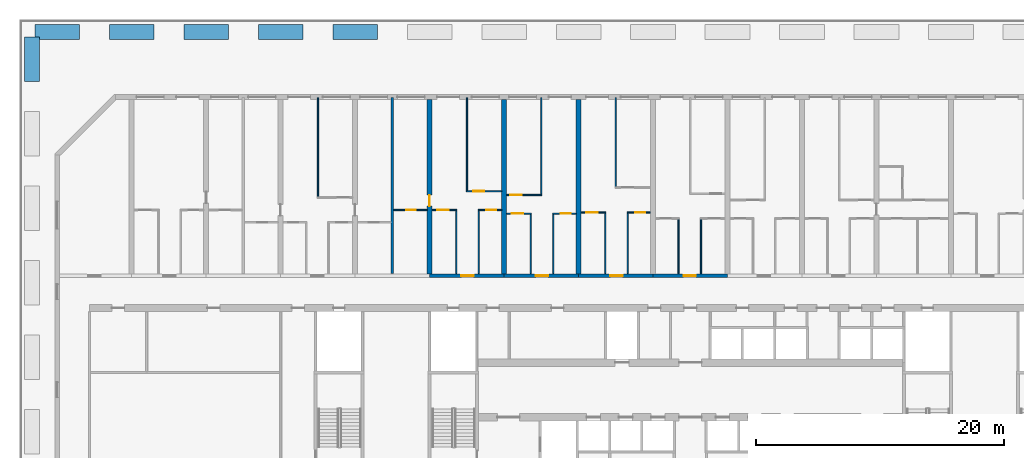
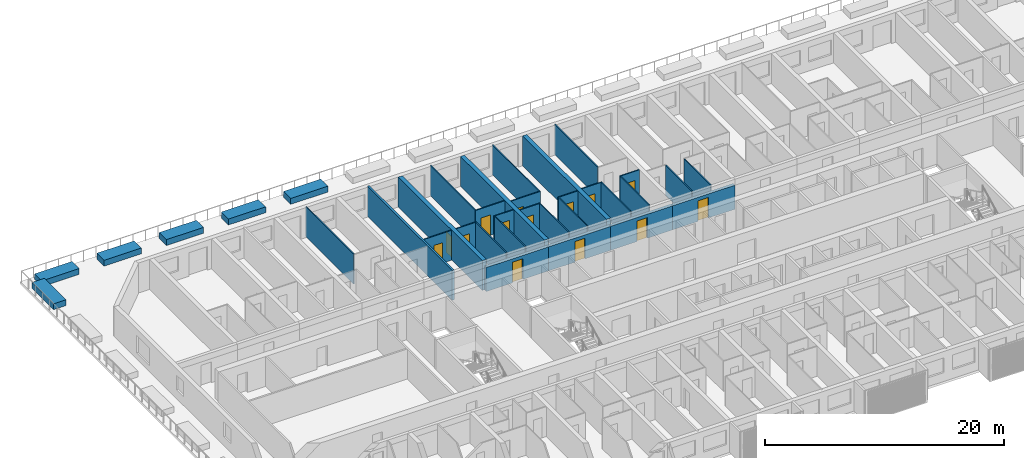
# One storey, part 12 of 23: 35 walls, 14 doors, 14 openings.
"""IFC4 building model written with IfcOpenShell, lengths in metres."""

from ifc_helpers import new_model, si_unit, direction, frame, frame_2d, origin, place, context, subcontext, project, spatial, polyline, rectangle, outline, extrude, source, transform, mapped, material, layer, layer_set, type_object, element, fill, save


model = new_model("IFC4")

# Units and contexts
model_context = context("Model", 3, precision=1e-05, world=origin(), true_north=direction((0.0, 1.0)))
body_context = subcontext(model_context, "Body", "Model", "MODEL_VIEW")
ifc_project = project(units=[si_unit("LENGTHUNIT", "METRE"), si_unit("AREAUNIT", "SQUARE_METRE"), si_unit("VOLUMEUNIT", "CUBIC_METRE"), si_unit("PLANEANGLEUNIT", "RADIAN"), si_unit("MASSUNIT", "GRAM", prefix="KILO")], contexts=[model_context])

# Site, building, storey
site_placement = place(None, origin())
site = spatial("IfcSite", under=ifc_project, at=site_placement, CompositionType="ELEMENT")
building_placement = place(site_placement, origin())
building = spatial("IfcBuilding", under=site, at=building_placement, Name="Poui Terraces", CompositionType="ELEMENT")
storey_placement = place(building_placement, frame((0.0, 0.0, 23.39990234375)))
storey = spatial("IfcBuildingStorey", under=building, at=storey_placement, Name="L05", CompositionType="ELEMENT", Elevation=23.39990234375)

# Wall, opening, door
ifc_material_1 = material(Name="Concrete 80 MPa", Category="concrete")
ifc_layer_1 = layer(ifc_material_1, 0.300048828125)
ifc_layer_set_1 = layer_set([ifc_layer_1], Name="Concrete 80 MPa")
wall_type_1 = type_object("IfcWallType", Name="CORRIDOR WALL 300 80MPa", PredefinedType="SHEAR", material=ifc_layer_set_1)
wall_1_placement = place(storey_placement, frame((30.0, 30.39990234375, 0.0), z_axis=(0.0, 0.0, 1.0), x_axis=(1.0, 0.0, 0.0)))
wall_1 = element("IfcWall", 1, at=wall_1_placement, inside=storey, type_object=wall_type_1, Name="CORRIDOR WALL LINE E BAY 6", PredefinedType="SHEAR", context=body_context, shape_type="SweptSolid", body=[
    extrude(rectangle(XDim=6.0, YDim=0.300048828125, at=frame_2d((3.0, 0.0))), origin(), (0.0, 0.0, 1.0), 2.4501953125),
])
opening_1_placement = place(wall_1_placement, frame((2.550048828125, 0.0, 0.0)))
opening_1 = element("IfcOpeningElement", 2, at=opening_1_placement, cuts=wall_1, Name="Opening FD30S", PredefinedType="OPENING", context=body_context, shape_type="SweptSolid", body=[
    extrude(rectangle(XDim=1.0, YDim=2.10009765625, at=frame_2d((0.5, 1.050048828125))), frame((0.0, 0.16015625, 0.0), z_axis=(0.0, -1.0, 0.0), x_axis=(1.0, 0.0, 0.0)), (0.0, 0.0, 1.0), 0.320068359375),
])
ifc_material_2 = material(Name="Steel fire door", Category="steel")
door_type_1 = type_object("IfcDoorType", Name="FLAT ENTRANCE DOOR 1000 X 2100", OperationType="NOTDEFINED", PredefinedType="DOOR", material=ifc_material_2)
door_1_placement = place(opening_1_placement, origin())
door_1 = element("IfcDoor", 3, at=door_1_placement, inside=storey, type_object=door_type_1, Name="FLAT ENTRANCE DOOR 049", OperationType="SINGLE_SWING_RIGHT", OverallHeight=2.10009765625, OverallWidth=1.0, PredefinedType="DOOR", context=body_context, shape_type="SweptSolid", body=[
    extrude(rectangle(XDim=1.0, YDim=2.10009765625, at=frame_2d((0.5, 1.050048828125))), frame((0.0, 0.02490234375, 0.0), z_axis=(0.0, -1.0, 0.0), x_axis=(1.0, 0.0, 0.0)), (0.0, 0.0, 1.0), 0.050048828125),
])
fill(opening_1, door_1)

wall_2_placement = place(storey_placement, frame((36.0, 30.39990234375, 0.0), z_axis=(0.0, 0.0, 1.0), x_axis=(1.0, 0.0, 0.0)))
wall_2 = element("IfcWall", 4, at=wall_2_placement, inside=storey, type_object=wall_type_1, Name="CORRIDOR WALL LINE E BAY 7", PredefinedType="SHEAR", context=body_context, shape_type="SweptSolid", body=[
    extrude(rectangle(XDim=6.0, YDim=0.300048828125, at=frame_2d((3.0, 0.0))), origin(), (0.0, 0.0, 1.0), 2.4501953125),
])
opening_2_placement = place(wall_2_placement, frame((2.550048828125, 0.0, 0.0)))
opening_2 = element("IfcOpeningElement", 5, at=opening_2_placement, cuts=wall_2, Name="Opening FD30S", PredefinedType="OPENING", context=body_context, shape_type="SweptSolid", body=[
    extrude(rectangle(XDim=1.0, YDim=2.10009765625, at=frame_2d((0.5, 1.050048828125))), frame((0.0, 0.16015625, 0.0), z_axis=(0.0, -1.0, 0.0), x_axis=(1.0, 0.0, 0.0)), (0.0, 0.0, 1.0), 0.320068359375),
])
door_2_placement = place(opening_2_placement, origin())
door_2 = element("IfcDoor", 6, at=door_2_placement, inside=storey, type_object=door_type_1, Name="FLAT ENTRANCE DOOR 054", OperationType="SINGLE_SWING_RIGHT", OverallHeight=2.10009765625, OverallWidth=1.0, PredefinedType="DOOR", context=body_context, shape_type="SweptSolid", body=[
    extrude(rectangle(XDim=1.0, YDim=2.10009765625, at=frame_2d((0.5, 1.050048828125))), frame((0.0, 0.02490234375, 0.0), z_axis=(0.0, -1.0, 0.0), x_axis=(1.0, 0.0, 0.0)), (0.0, 0.0, 1.0), 0.050048828125),
])
fill(opening_2, door_2)

wall_3_placement = place(storey_placement, frame((42.0, 30.39990234375, 0.0), z_axis=(0.0, 0.0, 1.0), x_axis=(1.0, 0.0, 0.0)))
wall_3 = element("IfcWall", 7, at=wall_3_placement, inside=storey, type_object=wall_type_1, Name="CORRIDOR WALL LINE E BAY 8", PredefinedType="SHEAR", context=body_context, shape_type="SweptSolid", body=[
    extrude(rectangle(XDim=6.0, YDim=0.300048828125, at=frame_2d((3.0, 0.0))), origin(), (0.0, 0.0, 1.0), 2.4501953125),
])
opening_3_placement = place(wall_3_placement, frame((2.550048828125, 0.0, 0.0)))
opening_3 = element("IfcOpeningElement", 8, at=opening_3_placement, cuts=wall_3, Name="Opening FD30S", PredefinedType="OPENING", context=body_context, shape_type="SweptSolid", body=[
    extrude(rectangle(XDim=1.0, YDim=2.10009765625, at=frame_2d((0.5, 1.050048828125))), frame((0.0, 0.16015625, 0.0), z_axis=(0.0, -1.0, 0.0), x_axis=(1.0, 0.0, 0.0)), (0.0, 0.0, 1.0), 0.320068359375),
])
door_3_placement = place(opening_3_placement, origin())
door_3 = element("IfcDoor", 9, at=door_3_placement, inside=storey, type_object=door_type_1, Name="FLAT ENTRANCE DOOR 057", OperationType="SINGLE_SWING_RIGHT", OverallHeight=2.10009765625, OverallWidth=1.0, PredefinedType="DOOR", context=body_context, shape_type="SweptSolid", body=[
    extrude(rectangle(XDim=1.0, YDim=2.10009765625, at=frame_2d((0.5, 1.050048828125))), frame((0.0, 0.02490234375, 0.0), z_axis=(0.0, -1.0, 0.0), x_axis=(1.0, 0.0, 0.0)), (0.0, 0.0, 1.0), 0.050048828125),
])
fill(opening_3, door_3)

wall_4_placement = place(storey_placement, frame((48.0, 30.39990234375, 0.0), z_axis=(0.0, 0.0, 1.0), x_axis=(1.0, 0.0, 0.0)))
wall_4 = element("IfcWall", 10, at=wall_4_placement, inside=storey, type_object=wall_type_1, Name="CORRIDOR WALL LINE E BAY 9", PredefinedType="SHEAR", context=body_context, shape_type="SweptSolid", body=[
    extrude(rectangle(XDim=6.0, YDim=0.300048828125, at=frame_2d((3.0, 0.0))), origin(), (0.0, 0.0, 1.0), 2.4501953125),
])
opening_4_placement = place(wall_4_placement, frame((2.449951171875, 0.0, 0.0)))
opening_4 = element("IfcOpeningElement", 11, at=opening_4_placement, cuts=wall_4, Name="Opening FD30S", PredefinedType="OPENING", context=body_context, shape_type="SweptSolid", body=[
    extrude(rectangle(XDim=1.0, YDim=2.10009765625, at=frame_2d((0.5, 1.050048828125))), frame((0.0, 0.16015625, 0.0), z_axis=(0.0, -1.0, 0.0), x_axis=(1.0, 0.0, 0.0)), (0.0, 0.0, 1.0), 0.320068359375),
])
door_4_placement = place(opening_4_placement, origin())
door_4 = element("IfcDoor", 12, at=door_4_placement, inside=storey, type_object=door_type_1, Name="FLAT ENTRANCE DOOR 061", OperationType="SINGLE_SWING_LEFT", OverallHeight=2.10009765625, OverallWidth=1.0, PredefinedType="DOOR", context=body_context, shape_type="SweptSolid", body=[
    extrude(rectangle(XDim=1.0, YDim=2.10009765625, at=frame_2d((0.5, 1.050048828125))), frame((0.0, 0.02490234375, 0.0), z_axis=(0.0, -1.0, 0.0), x_axis=(1.0, 0.0, 0.0)), (0.0, 0.0, 1.0), 0.050048828125),
])
fill(opening_4, door_4)

ifc_layer_2 = layer(ifc_material_1, 0.39990234375)
ifc_layer_set_2 = layer_set([ifc_layer_2], Name="Concrete 80 MPa")
wall_type_2 = type_object("IfcWallType", Name="CROSS WALL 400 80MPa", PredefinedType="SHEAR", material=ifc_layer_set_2)
wall_5_placement = place(storey_placement, frame((30.0, 30.550048828125, 0.0), z_axis=(0.0, 0.0, 1.0), x_axis=(0.0, 1.0, 0.0)))
wall_5 = element("IfcWall", 13, at=wall_5_placement, inside=storey, type_object=wall_type_2, Name="CROSS WALL LINE 6 NORTH", PredefinedType="SHEAR", context=body_context, shape_type="SweptSolid", body=[
    extrude(rectangle(XDim=14.050048828125, YDim=0.39990234375, at=frame_2d((7.02490234375, 0.0))), origin(), (0.0, 0.0, 1.0), 3.050048828125),
])
opening_5_placement = place(wall_5_placement, frame((5.449951171875, 0.0, 0.0)))
opening_5 = element("IfcOpeningElement", 14, at=opening_5_placement, cuts=wall_5, Name="Opening D90", PredefinedType="OPENING", context=body_context, shape_type="SweptSolid", body=[
    extrude(rectangle(XDim=0.89990234375, YDim=2.10009765625, at=frame_2d((0.449951171875, 1.050048828125))), frame((0.0, 0.2099609375, 0.0), z_axis=(0.0, -1.0, 0.0), x_axis=(1.0, 0.0, 0.0)), (0.0, 0.0, 1.0), 0.419921875),
])
ifc_material_3 = material(Name="Solid core timber door", Category="wood")
door_type_2 = type_object("IfcDoorType", Name="INTERNAL DOOR 900 X 2100", OperationType="NOTDEFINED", PredefinedType="DOOR", material=ifc_material_3)
door_5_placement = place(opening_5_placement, origin())
door_5 = element("IfcDoor", 15, at=door_5_placement, inside=storey, type_object=door_type_2, Name="INTERNAL DOOR 047", OperationType="SINGLE_SWING_LEFT", OverallHeight=2.10009765625, OverallWidth=0.89990234375, PredefinedType="DOOR", context=body_context, shape_type="SweptSolid", body=[
    extrude(rectangle(XDim=0.89990234375, YDim=2.10009765625, at=frame_2d((0.449951171875, 1.050048828125))), frame((0.0, 0.02490234375, 0.0), z_axis=(0.0, -1.0, 0.0), x_axis=(1.0, 0.0, 0.0)), (0.0, 0.0, 1.0), 0.050048828125),
])
fill(opening_5, door_5)

# Walls
for number, where, z_axis, x_axis, name in (
    (16, (36.0, 30.550048828125, 0.0), (0.0, 0.0, 1.0), (0.0, 1.0, 0.0), "CROSS WALL LINE 7 NORTH"),
    (17, (42.0, 30.550048828125, 0.0), (0.0, 0.0, 1.0), (0.0, 1.0, 0.0), "CROSS WALL LINE 8 NORTH"),
):
    element("IfcWall", number, at=place(storey_placement, frame(where, z_axis=z_axis, x_axis=x_axis)), inside=storey, type_object=wall_type_2, Name=name, PredefinedType="SHEAR", context=body_context, shape_type="SweptSolid", body=[
        extrude(rectangle(XDim=14.050048828125, YDim=0.39990234375, at=frame_2d((7.02490234375, 0.0))), origin(), (0.0, 0.0, 1.0), 3.050048828125),
    ])

# Wall, opening, door
ifc_material_4 = material(Name="Plasterboard partition")
ifc_layer_3 = layer(ifc_material_4, 0.10009765625)
ifc_layer_set_3 = layer_set([ifc_layer_3], Name="Plasterboard partition")
wall_type_3 = type_object("IfcWallType", Name="FLAT PARTITION 100", PredefinedType="PARTITIONING", material=ifc_layer_set_3)
wall_6_placement = place(storey_placement, frame((36.2099609375, 35.39990234375, 0.0), z_axis=(0.0, 0.0, 1.0), x_axis=(1.0, 0.0, 0.0)))
wall_6 = element("IfcWall", 18, at=wall_6_placement, inside=storey, type_object=wall_type_3, Name="FLAT PARTITION 100", PredefinedType="PARTITIONING", context=body_context, shape_type="SweptSolid", body=[
    extrude(rectangle(XDim=1.989990234375, YDim=0.10009765625, at=frame_2d((0.9951171875, 0.0))), origin(), (0.0, 0.0, 1.0), 3.050048828125),
])
opening_6_placement = place(wall_6_placement, frame((0.4150390625, 0.0, 0.0)))
opening_6 = element("IfcOpeningElement", 19, at=opening_6_placement, cuts=wall_6, Name="Opening D90", PredefinedType="OPENING", context=body_context, shape_type="SweptSolid", body=[
    extrude(rectangle(XDim=0.89990234375, YDim=2.10009765625, at=frame_2d((0.449951171875, 1.050048828125))), frame((0.0, 0.06005859375, 0.0), z_axis=(0.0, -1.0, 0.0), x_axis=(1.0, 0.0, 0.0)), (0.0, 0.0, 1.0), 0.1201171875),
])
door_6_placement = place(opening_6_placement, frame((0.89990234375, 0.0, 0.0), z_axis=(0.0, 0.0, 1.0), x_axis=(-1.0, 0.0, 0.0)))
door_6 = element("IfcDoor", 20, at=door_6_placement, inside=storey, type_object=door_type_2, Name="INTERNAL DOOR 053", OperationType="SINGLE_SWING_RIGHT", OverallHeight=2.10009765625, OverallWidth=0.89990234375, PredefinedType="DOOR", context=body_context, shape_type="SweptSolid", body=[
    extrude(rectangle(XDim=0.89990234375, YDim=2.10009765625, at=frame_2d((0.449951171875, 1.050048828125))), frame((0.0, 0.02490234375, 0.0), z_axis=(0.0, -1.0, 0.0), x_axis=(1.0, 0.0, 0.0)), (0.0, 0.0, 1.0), 0.050048828125),
])
fill(opening_6, door_6)

wall_7_placement = place(storey_placement, frame((39.89990234375, 35.39990234375, 0.0), z_axis=(0.0, 0.0, 1.0), x_axis=(1.0, 0.0, 0.0)))
wall_7 = element("IfcWall", 21, at=wall_7_placement, inside=storey, type_object=wall_type_3, Name="FLAT PARTITION 100", PredefinedType="PARTITIONING", context=body_context, shape_type="SweptSolid", body=[
    extrude(rectangle(XDim=1.89013671875, YDim=0.10009765625, at=frame_2d((0.945068359375, 0.0))), origin(), (0.0, 0.0, 1.0), 3.050048828125),
])
opening_7_placement = place(wall_7_placement, frame((0.675048828125, 0.0, 0.0)))
opening_7 = element("IfcOpeningElement", 22, at=opening_7_placement, cuts=wall_7, Name="Opening D80", PredefinedType="OPENING", context=body_context, shape_type="SweptSolid", body=[
    extrude(rectangle(XDim=0.800048828125, YDim=2.10009765625, at=frame_2d((0.39990234375, 1.050048828125))), frame((0.0, 0.06005859375, 0.0), z_axis=(0.0, -1.0, 0.0), x_axis=(1.0, 0.0, 0.0)), (0.0, 0.0, 1.0), 0.1201171875),
])
door_type_3 = type_object("IfcDoorType", Name="BATHROOM, LAUNDRY AND STORE DOOR 800 X 2100", OperationType="NOTDEFINED", PredefinedType="DOOR", material=ifc_material_3)
door_7_placement = place(opening_7_placement, frame((0.800048828125, 0.0, 0.0), z_axis=(0.0, 0.0, 1.0), x_axis=(-1.0, 0.0, 0.0)))
door_7 = element("IfcDoor", 23, at=door_7_placement, inside=storey, type_object=door_type_3, Name="BATHROOM, LAUNDRY AND STORE DOOR 055", OperationType="SINGLE_SWING_LEFT", OverallHeight=2.10009765625, OverallWidth=0.800048828125, PredefinedType="DOOR", context=body_context, shape_type="SweptSolid", body=[
    extrude(rectangle(XDim=0.800048828125, YDim=2.10009765625, at=frame_2d((0.39990234375, 1.050048828125))), frame((0.0, 0.02490234375, 0.0), z_axis=(0.0, -1.0, 0.0), x_axis=(1.0, 0.0, 0.0)), (0.0, 0.0, 1.0), 0.050048828125),
])
fill(opening_7, door_7)

wall_8_placement = place(storey_placement, frame((42.2099609375, 35.5, 0.0), z_axis=(0.0, 0.0, 1.0), x_axis=(1.0, 0.0, 0.0)))
wall_8 = element("IfcWall", 24, at=wall_8_placement, inside=storey, type_object=wall_type_3, Name="FLAT PARTITION 100", PredefinedType="PARTITIONING", context=body_context, shape_type="SweptSolid", body=[
    extrude(rectangle(XDim=1.989990234375, YDim=0.10009765625, at=frame_2d((0.9951171875, 0.0))), origin(), (0.0, 0.0, 1.0), 3.050048828125),
])
opening_8_placement = place(wall_8_placement, frame((0.4150390625, 0.0, 0.0)))
opening_8 = element("IfcOpeningElement", 25, at=opening_8_placement, cuts=wall_8, Name="Opening D90", PredefinedType="OPENING", context=body_context, shape_type="SweptSolid", body=[
    extrude(rectangle(XDim=0.89990234375, YDim=2.10009765625, at=frame_2d((0.449951171875, 1.050048828125))), frame((0.0, 0.06005859375, 0.0), z_axis=(0.0, -1.0, 0.0), x_axis=(1.0, 0.0, 0.0)), (0.0, 0.0, 1.0), 0.1201171875),
])
door_8_placement = place(opening_8_placement, frame((0.89990234375, 0.0, 0.0), z_axis=(0.0, 0.0, 1.0), x_axis=(-1.0, 0.0, 0.0)))
door_8 = element("IfcDoor", 26, at=door_8_placement, inside=storey, type_object=door_type_2, Name="INTERNAL DOOR 056", OperationType="SINGLE_SWING_LEFT", OverallHeight=2.10009765625, OverallWidth=0.89990234375, PredefinedType="DOOR", context=body_context, shape_type="SweptSolid", body=[
    extrude(rectangle(XDim=0.89990234375, YDim=2.10009765625, at=frame_2d((0.449951171875, 1.050048828125))), frame((0.0, 0.02490234375, 0.0), z_axis=(0.0, -1.0, 0.0), x_axis=(1.0, 0.0, 0.0)), (0.0, 0.0, 1.0), 0.050048828125),
])
fill(opening_8, door_8)

wall_9_placement = place(storey_placement, frame((45.89990234375, 35.5, 0.0), z_axis=(0.0, 0.0, 1.0), x_axis=(1.0, 0.0, 0.0)))
wall_9 = element("IfcWall", 27, at=wall_9_placement, inside=storey, type_object=wall_type_3, Name="FLAT PARTITION 100", PredefinedType="PARTITIONING", context=body_context, shape_type="SweptSolid", body=[
    extrude(rectangle(XDim=1.89013671875, YDim=0.10009765625, at=frame_2d((0.945068359375, 0.0))), origin(), (0.0, 0.0, 1.0), 3.050048828125),
])
opening_9_placement = place(wall_9_placement, frame((0.675048828125, 0.0, 0.0)))
opening_9 = element("IfcOpeningElement", 28, at=opening_9_placement, cuts=wall_9, Name="Opening D80", PredefinedType="OPENING", context=body_context, shape_type="SweptSolid", body=[
    extrude(rectangle(XDim=0.800048828125, YDim=2.10009765625, at=frame_2d((0.39990234375, 1.050048828125))), frame((0.0, 0.06005859375, 0.0), z_axis=(0.0, -1.0, 0.0), x_axis=(1.0, 0.0, 0.0)), (0.0, 0.0, 1.0), 0.1201171875),
])
door_9_placement = place(opening_9_placement, frame((0.800048828125, 0.0, 0.0), z_axis=(0.0, 0.0, 1.0), x_axis=(-1.0, 0.0, 0.0)))
door_9 = element("IfcDoor", 29, at=door_9_placement, inside=storey, type_object=door_type_3, Name="BATHROOM, LAUNDRY AND STORE DOOR 059", OperationType="SINGLE_SWING_RIGHT", OverallHeight=2.10009765625, OverallWidth=0.800048828125, PredefinedType="DOOR", context=body_context, shape_type="SweptSolid", body=[
    extrude(rectangle(XDim=0.800048828125, YDim=2.10009765625, at=frame_2d((0.39990234375, 1.050048828125))), frame((0.0, 0.02490234375, 0.0), z_axis=(0.0, -1.0, 0.0), x_axis=(1.0, 0.0, 0.0)), (0.0, 0.0, 1.0), 0.050048828125),
])
fill(opening_9, door_9)

wall_10_placement = place(storey_placement, frame((27.10009765625, 35.699951171875, 0.0), z_axis=(0.0, 0.0, 1.0), x_axis=(1.0, 0.0, 0.0)))
wall_10 = element("IfcWall", 30, at=wall_10_placement, inside=storey, type_object=wall_type_3, Name="FLAT PARTITION 100", PredefinedType="PARTITIONING", context=body_context, shape_type="SweptSolid", body=[
    extrude(rectangle(XDim=2.68994140625, YDim=0.10009765625, at=frame_2d((1.344970703125, 0.0))), origin(), (0.0, 0.0, 1.0), 3.050048828125),
])
opening_10_placement = place(wall_10_placement, frame((1.0, 0.0, 0.0)))
opening_10 = element("IfcOpeningElement", 31, at=opening_10_placement, cuts=wall_10, Name="Opening D80", PredefinedType="OPENING", context=body_context, shape_type="SweptSolid", body=[
    extrude(rectangle(XDim=0.800048828125, YDim=2.10009765625, at=frame_2d((0.39990234375, 1.050048828125))), frame((0.0, 0.06005859375, 0.0), z_axis=(0.0, -1.0, 0.0), x_axis=(1.0, 0.0, 0.0)), (0.0, 0.0, 1.0), 0.1201171875),
])
door_10_placement = place(opening_10_placement, frame((0.800048828125, 0.0, 0.0), z_axis=(0.0, 0.0, 1.0), x_axis=(-1.0, 0.0, 0.0)))
door_10 = element("IfcDoor", 32, at=door_10_placement, inside=storey, type_object=door_type_3, Name="BATHROOM, LAUNDRY AND STORE DOOR 046", OperationType="SINGLE_SWING_LEFT", OverallHeight=2.10009765625, OverallWidth=0.800048828125, PredefinedType="DOOR", context=body_context, shape_type="SweptSolid", body=[
    extrude(rectangle(XDim=0.800048828125, YDim=2.10009765625, at=frame_2d((0.39990234375, 1.050048828125))), frame((0.0, 0.02490234375, 0.0), z_axis=(0.0, -1.0, 0.0), x_axis=(1.0, 0.0, 0.0)), (0.0, 0.0, 1.0), 0.050048828125),
])
fill(opening_10, door_10)

wall_11_placement = place(storey_placement, frame((30.2099609375, 35.699951171875, 0.0), z_axis=(0.0, 0.0, 1.0), x_axis=(1.0, 0.0, 0.0)))
wall_11 = element("IfcWall", 33, at=wall_11_placement, inside=storey, type_object=wall_type_3, Name="FLAT PARTITION 100", PredefinedType="PARTITIONING", context=body_context, shape_type="SweptSolid", body=[
    extrude(rectangle(XDim=1.989990234375, YDim=0.10009765625, at=frame_2d((0.9951171875, 0.0))), origin(), (0.0, 0.0, 1.0), 3.050048828125),
])
opening_11_placement = place(wall_11_placement, frame((0.4150390625, 0.0, 0.0)))
opening_11 = element("IfcOpeningElement", 34, at=opening_11_placement, cuts=wall_11, Name="Opening D90", PredefinedType="OPENING", context=body_context, shape_type="SweptSolid", body=[
    extrude(rectangle(XDim=0.89990234375, YDim=2.10009765625, at=frame_2d((0.449951171875, 1.050048828125))), frame((0.0, 0.06005859375, 0.0), z_axis=(0.0, -1.0, 0.0), x_axis=(1.0, 0.0, 0.0)), (0.0, 0.0, 1.0), 0.1201171875),
])
door_11_placement = place(opening_11_placement, frame((0.89990234375, 0.0, 0.0), z_axis=(0.0, 0.0, 1.0), x_axis=(-1.0, 0.0, 0.0)))
door_11 = element("IfcDoor", 35, at=door_11_placement, inside=storey, type_object=door_type_2, Name="INTERNAL DOOR 048", OperationType="SINGLE_SWING_LEFT", OverallHeight=2.10009765625, OverallWidth=0.89990234375, PredefinedType="DOOR", context=body_context, shape_type="SweptSolid", body=[
    extrude(rectangle(XDim=0.89990234375, YDim=2.10009765625, at=frame_2d((0.449951171875, 1.050048828125))), frame((0.0, 0.02490234375, 0.0), z_axis=(0.0, -1.0, 0.0), x_axis=(1.0, 0.0, 0.0)), (0.0, 0.0, 1.0), 0.050048828125),
])
fill(opening_11, door_11)

wall_12_placement = place(storey_placement, frame((33.89990234375, 35.699951171875, 0.0), z_axis=(0.0, 0.0, 1.0), x_axis=(1.0, 0.0, 0.0)))
wall_12 = element("IfcWall", 36, at=wall_12_placement, inside=storey, type_object=wall_type_3, Name="FLAT PARTITION 100", PredefinedType="PARTITIONING", context=body_context, shape_type="SweptSolid", body=[
    extrude(rectangle(XDim=1.89013671875, YDim=0.10009765625, at=frame_2d((0.945068359375, 0.0))), origin(), (0.0, 0.0, 1.0), 3.050048828125),
])
opening_12_placement = place(wall_12_placement, frame((0.675048828125, 0.0, 0.0)))
opening_12 = element("IfcOpeningElement", 37, at=opening_12_placement, cuts=wall_12, Name="Opening D80", PredefinedType="OPENING", context=body_context, shape_type="SweptSolid", body=[
    extrude(rectangle(XDim=0.800048828125, YDim=2.10009765625, at=frame_2d((0.39990234375, 1.050048828125))), frame((0.0, 0.06005859375, 0.0), z_axis=(0.0, -1.0, 0.0), x_axis=(1.0, 0.0, 0.0)), (0.0, 0.0, 1.0), 0.1201171875),
])
door_12_placement = place(opening_12_placement, frame((0.800048828125, 0.0, 0.0), z_axis=(0.0, 0.0, 1.0), x_axis=(-1.0, 0.0, 0.0)))
door_12 = element("IfcDoor", 38, at=door_12_placement, inside=storey, type_object=door_type_3, Name="BATHROOM, LAUNDRY AND STORE DOOR 051", OperationType="SINGLE_SWING_RIGHT", OverallHeight=2.10009765625, OverallWidth=0.800048828125, PredefinedType="DOOR", context=body_context, shape_type="SweptSolid", body=[
    extrude(rectangle(XDim=0.800048828125, YDim=2.10009765625, at=frame_2d((0.39990234375, 1.050048828125))), frame((0.0, 0.02490234375, 0.0), z_axis=(0.0, -1.0, 0.0), x_axis=(1.0, 0.0, 0.0)), (0.0, 0.0, 1.0), 0.050048828125),
])
fill(opening_12, door_12)

wall_13_placement = place(storey_placement, frame((36.2099609375, 36.89990234375, 0.0), z_axis=(0.0, 0.0, 1.0), x_axis=(1.0, 0.0, 0.0)))
wall_13 = element("IfcWall", 39, at=wall_13_placement, inside=storey, type_object=wall_type_3, Name="FLAT PARTITION 100", PredefinedType="PARTITIONING", context=body_context, shape_type="SweptSolid", body=[
    extrude(rectangle(XDim=2.840087890625, YDim=0.10009765625, at=frame_2d((1.419921875, 0.0))), origin(), (0.0, 0.0, 1.0), 3.050048828125),
])
opening_13_placement = place(wall_13_placement, frame((0.2900390625, 0.0, 0.0)))
opening_13 = element("IfcOpeningElement", 40, at=opening_13_placement, cuts=wall_13, Name="Opening D90", PredefinedType="OPENING", context=body_context, shape_type="SweptSolid", body=[
    extrude(rectangle(XDim=0.89990234375, YDim=2.10009765625, at=frame_2d((0.449951171875, 1.050048828125))), frame((0.0, 0.06005859375, 0.0), z_axis=(0.0, -1.0, 0.0), x_axis=(1.0, 0.0, 0.0)), (0.0, 0.0, 1.0), 0.1201171875),
])
door_13_placement = place(opening_13_placement, frame((0.89990234375, 0.0, 0.0), z_axis=(0.0, 0.0, 1.0), x_axis=(-1.0, 0.0, 0.0)))
door_13 = element("IfcDoor", 41, at=door_13_placement, inside=storey, type_object=door_type_2, Name="INTERNAL DOOR 052", OperationType="SINGLE_SWING_LEFT", OverallHeight=2.10009765625, OverallWidth=0.89990234375, PredefinedType="DOOR", context=body_context, shape_type="SweptSolid", body=[
    extrude(rectangle(XDim=0.89990234375, YDim=2.10009765625, at=frame_2d((0.449951171875, 1.050048828125))), frame((0.0, 0.02490234375, 0.0), z_axis=(0.0, -1.0, 0.0), x_axis=(1.0, 0.0, 0.0)), (0.0, 0.0, 1.0), 0.050048828125),
])
fill(opening_13, door_13)

wall_14_placement = place(storey_placement, frame((32.949951171875, 37.199951171875, 0.0), z_axis=(0.0, 0.0, 1.0), x_axis=(1.0, 0.0, 0.0)))
wall_14 = element("IfcWall", 42, at=wall_14_placement, inside=storey, type_object=wall_type_3, Name="FLAT PARTITION 100", PredefinedType="PARTITIONING", context=body_context, shape_type="SweptSolid", body=[
    extrude(rectangle(XDim=2.840087890625, YDim=0.10009765625, at=frame_2d((1.419921875, 0.0))), origin(), (0.0, 0.0, 1.0), 3.050048828125),
])
opening_14_placement = place(wall_14_placement, frame((0.550048828125, 0.0, 0.0)))
opening_14 = element("IfcOpeningElement", 43, at=opening_14_placement, cuts=wall_14, Name="Opening D90", PredefinedType="OPENING", context=body_context, shape_type="SweptSolid", body=[
    extrude(rectangle(XDim=0.89990234375, YDim=2.10009765625, at=frame_2d((0.449951171875, 1.050048828125))), frame((0.0, 0.06005859375, 0.0), z_axis=(0.0, -1.0, 0.0), x_axis=(1.0, 0.0, 0.0)), (0.0, 0.0, 1.0), 0.1201171875),
])
door_14_placement = place(opening_14_placement, frame((0.89990234375, 0.0, 0.0), z_axis=(0.0, 0.0, 1.0), x_axis=(-1.0, 0.0, 0.0)))
door_14 = element("IfcDoor", 44, at=door_14_placement, inside=storey, type_object=door_type_2, Name="INTERNAL DOOR 050", OperationType="SINGLE_SWING_LEFT", OverallHeight=2.10009765625, OverallWidth=0.89990234375, PredefinedType="DOOR", context=body_context, shape_type="SweptSolid", body=[
    extrude(rectangle(XDim=0.89990234375, YDim=2.10009765625, at=frame_2d((0.449951171875, 1.050048828125))), frame((0.0, 0.02490234375, 0.0), z_axis=(0.0, -1.0, 0.0), x_axis=(1.0, 0.0, 0.0)), (0.0, 0.0, 1.0), 0.050048828125),
])
fill(opening_14, door_14)

# Walls
wall_15_placement = place(storey_placement, frame((21.0, 36.75, 0.0), z_axis=(0.0, 0.0, 1.0), x_axis=(0.0, 1.0, 0.0)))
element("IfcWall", 45, at=wall_15_placement, inside=storey, type_object=wall_type_3, Name="FLAT PARTITION 100", PredefinedType="PARTITIONING", context=body_context, shape_type="SweptSolid", body=[
    extrude(rectangle(XDim=7.989990234375, YDim=0.10009765625, at=frame_2d((3.9951171875, 0.0))), origin(), (0.0, 0.0, 1.0), 3.050048828125),
])
wall_16_placement = place(storey_placement, frame((32.14990234375, 30.56005859375, 0.0), z_axis=(0.0, 0.0, 1.0), x_axis=(0.0, 1.0, 0.0)))
element("IfcWall", 46, at=wall_16_placement, inside=storey, type_object=wall_type_3, Name="FLAT PARTITION 100", PredefinedType="PARTITIONING", context=body_context, shape_type="SweptSolid", body=[
    extrude(rectangle(XDim=5.08984375, YDim=0.10009765625, at=frame_2d((2.544921875, 0.0))), origin(), (0.0, 0.0, 1.0), 3.050048828125),
])
wall_17_placement = place(storey_placement, frame((33.0, 37.25, 0.0), z_axis=(0.0, 0.0, 1.0), x_axis=(0.0, 1.0, 0.0)))
element("IfcWall", 47, at=wall_17_placement, inside=storey, type_object=wall_type_3, Name="FLAT PARTITION 100", PredefinedType="PARTITIONING", context=body_context, shape_type="SweptSolid", body=[
    extrude(rectangle(XDim=7.489990234375, YDim=0.10009765625, at=frame_2d((3.7451171875, 0.0))), origin(), (0.0, 0.0, 1.0), 3.050048828125),
])
wall_18_placement = place(storey_placement, frame((33.949951171875, 30.56005859375, 0.0), z_axis=(0.0, 0.0, 1.0), x_axis=(0.0, 1.0, 0.0)))
element("IfcWall", 48, at=wall_18_placement, inside=storey, type_object=wall_type_3, Name="FLAT PARTITION 100", PredefinedType="PARTITIONING", context=body_context, shape_type="SweptSolid", body=[
    extrude(rectangle(XDim=5.08984375, YDim=0.10009765625, at=frame_2d((2.544921875, 0.0))), origin(), (0.0, 0.0, 1.0), 3.050048828125),
])
wall_19_placement = place(storey_placement, frame((38.14990234375, 30.56005859375, 0.0), z_axis=(0.0, 0.0, 1.0), x_axis=(0.0, 1.0, 0.0)))
element("IfcWall", 49, at=wall_19_placement, inside=storey, type_object=wall_type_3, Name="FLAT PARTITION 100", PredefinedType="PARTITIONING", context=body_context, shape_type="SweptSolid", body=[
    extrude(rectangle(XDim=4.7900390625, YDim=0.10009765625, at=frame_2d((2.39501953125, 0.0))), origin(), (0.0, 0.0, 1.0), 3.050048828125),
])
wall_20_placement = place(storey_placement, frame((39.0, 36.949951171875, 0.0), z_axis=(0.0, 0.0, 1.0), x_axis=(0.0, 1.0, 0.0)))
element("IfcWall", 50, at=wall_20_placement, inside=storey, type_object=wall_type_3, Name="FLAT PARTITION 100", PredefinedType="PARTITIONING", context=body_context, shape_type="SweptSolid", body=[
    extrude(rectangle(XDim=7.7900390625, YDim=0.10009765625, at=frame_2d((3.89501953125, 0.0))), origin(), (0.0, 0.0, 1.0), 3.050048828125),
])
wall_21_placement = place(storey_placement, frame((39.949951171875, 30.56005859375, 0.0), z_axis=(0.0, 0.0, 1.0), x_axis=(0.0, 1.0, 0.0)))
element("IfcWall", 51, at=wall_21_placement, inside=storey, type_object=wall_type_3, Name="FLAT PARTITION 100", PredefinedType="PARTITIONING", context=body_context, shape_type="SweptSolid", body=[
    extrude(rectangle(XDim=4.7900390625, YDim=0.10009765625, at=frame_2d((2.39501953125, 0.0))), origin(), (0.0, 0.0, 1.0), 3.050048828125),
])
wall_22_placement = place(storey_placement, frame((44.14990234375, 30.56005859375, 0.0), z_axis=(0.0, 0.0, 1.0), x_axis=(0.0, 1.0, 0.0)))
element("IfcWall", 52, at=wall_22_placement, inside=storey, type_object=wall_type_3, Name="FLAT PARTITION 100", PredefinedType="PARTITIONING", context=body_context, shape_type="SweptSolid", body=[
    extrude(rectangle(XDim=4.889892578125, YDim=0.10009765625, at=frame_2d((2.44482421875, 0.0))), origin(), (0.0, 0.0, 1.0), 3.050048828125),
])
wall_23_placement = place(storey_placement, frame((45.0, 37.550048828125, 0.0), z_axis=(0.0, 0.0, 1.0), x_axis=(0.0, 1.0, 0.0)))
element("IfcWall", 53, at=wall_23_placement, inside=storey, type_object=wall_type_3, Name="FLAT PARTITION 100", PredefinedType="PARTITIONING", context=body_context, shape_type="SweptSolid", body=[
    extrude(rectangle(XDim=7.18994140625, YDim=0.10009765625, at=frame_2d((3.594970703125, 0.0))), origin(), (0.0, 0.0, 1.0), 3.050048828125),
])
wall_24_placement = place(storey_placement, frame((45.949951171875, 30.56005859375, 0.0), z_axis=(0.0, 0.0, 1.0), x_axis=(0.0, 1.0, 0.0)))
element("IfcWall", 54, at=wall_24_placement, inside=storey, type_object=wall_type_3, Name="FLAT PARTITION 100", PredefinedType="PARTITIONING", context=body_context, shape_type="SweptSolid", body=[
    extrude(rectangle(XDim=4.889892578125, YDim=0.10009765625, at=frame_2d((2.44482421875, 0.0))), origin(), (0.0, 0.0, 1.0), 3.050048828125),
])
for number, where, z_axis, x_axis, name in (
    (55, (50.050048828125, 30.56005859375, 0.0), (0.0, 0.0, 1.0), (0.0, 1.0, 0.0), "FLAT PARTITION 100"),
    (56, (51.85009765625, 30.56005859375, 0.0), (0.0, 0.0, 1.0), (0.0, 1.0, 0.0), "FLAT PARTITION 100"),
):
    element("IfcWall", number, at=place(storey_placement, frame(where, z_axis=z_axis, x_axis=x_axis)), inside=storey, type_object=wall_type_3, Name=name, PredefinedType="PARTITIONING", context=body_context, shape_type="SweptSolid", body=[
        extrude(rectangle(XDim=4.389892578125, YDim=0.10009765625, at=frame_2d((2.19482421875, 0.0))), origin(), (0.0, 0.0, 1.0), 3.050048828125),
    ])
ifc_material_5 = material(Name="Fire-rated masonry wall", Category="masonry")
ifc_layer_4 = layer(ifc_material_5, 0.199951171875)
ifc_layer_set_4 = layer_set([ifc_layer_4], Name="Fire-rated masonry wall")
wall_type_4 = type_object("IfcWallType", Name="FLAT PARTY WALL 200", PredefinedType="PARTITIONING", material=ifc_layer_set_4)
wall_25_placement = place(storey_placement, frame((27.0, 30.56005859375, 0.0), z_axis=(0.0, 0.0, 1.0), x_axis=(0.0, 1.0, 0.0)))
element("IfcWall", 57, at=wall_25_placement, inside=storey, type_object=wall_type_4, Name="FLAT PARTY WALL 200", PredefinedType="PARTITIONING", context=body_context, shape_type="SweptSolid", body=[
    extrude(rectangle(XDim=14.179931640625, YDim=0.199951171875, at=frame_2d((7.08984375, 0.0))), origin(), (0.0, 0.0, 1.0), 3.050048828125),
])
ifc_material_6 = material(Name="Precast concrete 40 MPa", Category="concrete")
ifc_layer_5 = layer(ifc_material_6, 1.199951171875)
ifc_layer_set_5 = layer_set([ifc_layer_5], Name="Precast concrete 40 MPa")
wall_type_5 = type_object("IfcWallType", Name="PLANTER 600", PredefinedType="USERDEFINED", material=ifc_layer_set_5)
shared_shape_1 = source(origin(), body_context, "Body", "SweptSolid", [
    extrude(outline(polyline([(0.0, 0.0), (3.60009765625, 0.0), (3.60009765625, 1.2001953125), (0.0, 1.2001953125), (0.0, 0.0)])), origin(), (0.0, 0.0, 1.0), 0.60009765625),
])
for number, where, name in (
    (58, (-1.800048828125, 49.419921875, 0.0), "PLANTER"),
    (59, (4.199951171875, 49.419921875, 0.0), "PLANTER"),
    (60, (10.199951171875, 49.419921875, 0.0), "PLANTER"),
    (61, (16.199951171875, 49.419921875, 0.0), "PLANTER"),
    (62, (22.199951171875, 49.419921875, 0.0), "PLANTER"),
):
    element("IfcWall", number, at=place(storey_placement, frame(where)), inside=storey, type_object=wall_type_5, Name=name, ObjectType="PLANTER", PredefinedType="USERDEFINED", context=body_context, shape_type="MappedRepresentation", body=[
        mapped(shared_shape_1, transform((0.0, 0.0, 0.0))),
    ])
shared_shape_2 = source(origin(), body_context, "Body", "SweptSolid", [
    extrude(outline(polyline([(0.0, 0.0), (1.2001953125, 0.0), (1.2001953125, 3.599853515625), (0.0, 3.599853515625), (0.0, 0.0)])), origin(), (0.0, 0.0, 1.0), 0.60009765625),
])
wall_26_placement = place(storey_placement, frame((-2.6201171875, 46.0400390625, 0.0)))
element("IfcWall", 63, at=wall_26_placement, inside=storey, type_object=wall_type_5, Name="PLANTER", ObjectType="PLANTER", PredefinedType="USERDEFINED", context=body_context, shape_type="MappedRepresentation", body=[
    mapped(shared_shape_2, transform((0.0, 0.0, 0.0))),
])

save(model, "model.ifc")
